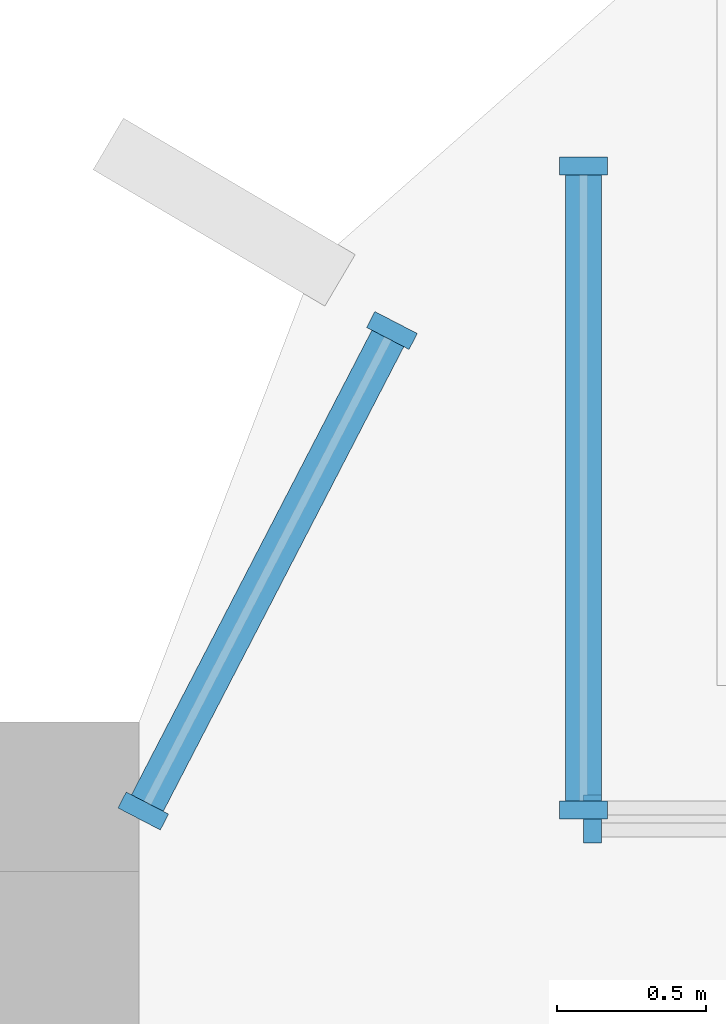
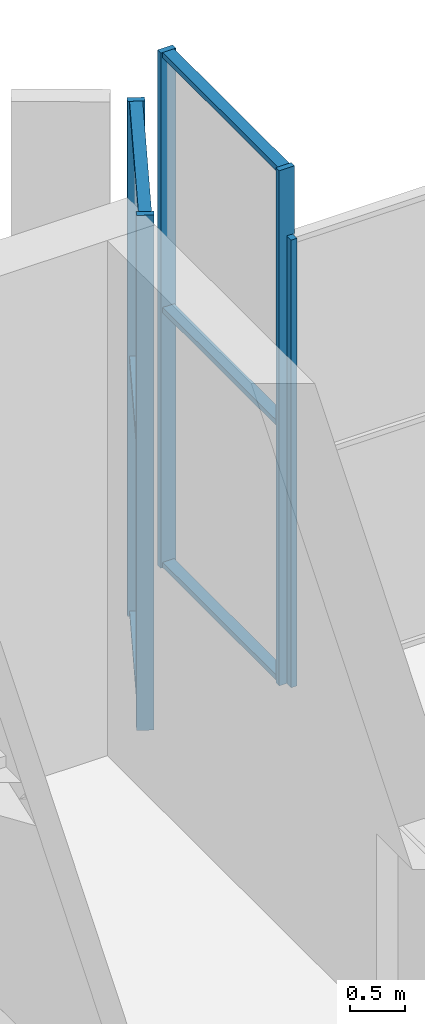
# One storey, part 7 of 17: 11 members, 3 elements without a shape of their own.
"""IFC4 building model written with IfcOpenShell, lengths in metres."""

from ifc_helpers import new_model, si_unit, direction, frame, origin, origin_2d, place, context, subcontext, project, spatial, rectangle, extrude, source, transform, mapped, material, material_profile, profile_set, type_object, element, aggregate, save


model = new_model("IFC4")

# Units and contexts
model_context = context("Model", 3, precision=1e-05, world=origin(), true_north=direction((0.0, 1.0)))
body_context = subcontext(model_context, "Body", "Model", "MODEL_VIEW")
ifc_project = project(units=[si_unit("LENGTHUNIT", "METRE"), si_unit("AREAUNIT", "SQUARE_METRE"), si_unit("VOLUMEUNIT", "CUBIC_METRE"), si_unit("PLANEANGLEUNIT", "RADIAN"), si_unit("MASSUNIT", "GRAM", prefix="KILO")], contexts=[model_context])

# Site, building, storey
site_placement = place(None, origin())
site = spatial("IfcSite", under=ifc_project, at=site_placement, CompositionType="ELEMENT")
building_placement = place(site_placement, origin())
building = spatial("IfcBuilding", under=site, at=building_placement, Name="Vanashikhar Sky Hotel", CompositionType="ELEMENT")
storey_placement = place(building_placement, frame((0.0, 0.0, 323.699951171875)))
storey = spatial("IfcBuildingStorey", under=building, at=storey_placement, Name="L77", CompositionType="ELEMENT", Elevation=323.699951171875)

# Curtain wall, member
ifc_material_1 = material(Name="Glass", Category="glass")
curtain_wall_type = type_object("IfcCurtainWallType", Name="Sky restaurant glazing", PredefinedType="NOTDEFINED", material=ifc_material_1)
curtain_wall_1_placement = place(storey_placement, origin())
curtain_wall_1 = element("IfcCurtainWall", 1, at=curtain_wall_1_placement, inside=storey, type_object=curtain_wall_type, Name="Sky restaurant glazing", PredefinedType="NOTDEFINED")
ifc_material_2 = material(Name="Aluminium 6063-T6", Category="aluminium")
ifc_material_profile_1 = material_profile(ifc_material_2, rectangle(XDim=0.159912109375, YDim=0.06005859375, at=origin_2d()))
ifc_profile_set_1 = profile_set([ifc_material_profile_1], Name="Aluminium 6063-T6")
member_type_1 = type_object("IfcMemberType", Name="Sky restaurant mullion 60 x 160", PredefinedType="MULLION", material=ifc_profile_set_1)
shared_shape_1 = source(origin(), body_context, "Body", "SweptSolid", [
    extrude(rectangle(XDim=0.159912109375, YDim=0.06005859375, at=origin_2d()), origin(), (0.0, 0.0, 1.0), 4.969970703125),
])
member_1_placement = place(storey_placement, frame((77.116943359375, 41.675048828125, 0.0), z_axis=(0.0, 0.0, 1.0), x_axis=(0.0, -1.0, 0.0)))
member_1 = element("IfcMember", 2, at=member_1_placement, type_object=member_type_1, Name="CW-5 mullion 2", PredefinedType="MULLION", context=body_context, shape_type="MappedRepresentation", body=[
    mapped(shared_shape_1, transform((0.0, 0.0, 0.0), scale=1.0)),
])
aggregate(curtain_wall_1, [member_1])

# Curtain wall, members
curtain_wall_2_placement = place(storey_placement, origin())
curtain_wall_2 = element("IfcCurtainWall", 3, at=curtain_wall_2_placement, inside=storey, type_object=curtain_wall_type, Name="Sky restaurant glazing", PredefinedType="NOTDEFINED")
shared_shape_2 = source(origin(), body_context, "Body", "SweptSolid", [
    extrude(rectangle(XDim=0.159912109375, YDim=0.06005859375, at=origin_2d()), origin(), (0.0, 0.0, 1.0), 5.719970703125),
])
member_2_placement = place(storey_placement, frame((77.0869140625, 41.705078125, 0.0), z_axis=(0.0, 0.0, 1.0), x_axis=(-1.0, 0.0, 0.0)))
member_2 = element("IfcMember", 4, at=member_2_placement, type_object=member_type_1, Name="CW-5 mullion 1", PredefinedType="MULLION", context=body_context, shape_type="MappedRepresentation", body=[
    mapped(shared_shape_2, transform((0.0, 0.0, 0.0), scale=1.0)),
])
member_3_placement = place(storey_placement, frame((77.0869140625, 43.859619140625, 0.0), z_axis=(0.0, 0.0, 1.0), x_axis=(-1.0, 0.0, 0.0)))
member_3 = element("IfcMember", 5, at=member_3_placement, type_object=member_type_1, Name="CW-5 mullion 2", PredefinedType="MULLION", context=body_context, shape_type="MappedRepresentation", body=[
    mapped(shared_shape_2, transform((0.0, 0.0, 0.0), scale=1.0)),
])

curtain_wall_3_placement = place(storey_placement, origin())
curtain_wall_3 = element("IfcCurtainWall", 6, at=curtain_wall_3_placement, inside=storey, type_object=curtain_wall_type, Name="Sky restaurant glazing", PredefinedType="NOTDEFINED")
member_4_placement = place(storey_placement, frame((76.446044921875, 43.3095703125, 0.0), z_axis=(0.0, 0.0, 1.0), x_axis=(0.888073920281, -0.459700676655, 0.0)))
member_4 = element("IfcMember", 7, at=member_4_placement, type_object=member_type_1, Name="CW-5 mullion 1", PredefinedType="MULLION", context=body_context, shape_type="MappedRepresentation", body=[
    mapped(shared_shape_2, transform((0.0, 0.0, 0.0), scale=1.0)),
])
member_5_placement = place(storey_placement, frame((75.61376953125, 41.70166015625, 0.0), z_axis=(0.0, 0.0, 1.0), x_axis=(0.888073920281, -0.459700676655, 0.0)))
member_5 = element("IfcMember", 8, at=member_5_placement, type_object=member_type_1, Name="CW-5 mullion 2", PredefinedType="MULLION", context=body_context, shape_type="MappedRepresentation", body=[
    mapped(shared_shape_2, transform((0.0, 0.0, 0.0), scale=1.0)),
])

# Member
ifc_material_profile_2 = material_profile(ifc_material_2, rectangle(XDim=0.1201171875, YDim=0.06005859375, at=origin_2d()))
ifc_profile_set_2 = profile_set([ifc_material_profile_2], Name="Aluminium 6063-T6")
member_type_2 = type_object("IfcMemberType", Name="Sky restaurant transom 60 x 120", PredefinedType="USERDEFINED", material=ifc_profile_set_2)
shared_shape_3 = source(origin(), body_context, "Body", "SweptSolid", [
    extrude(rectangle(XDim=0.1201171875, YDim=0.06005859375, at=origin_2d()), origin(), (0.0, 0.0, 1.0), 2.094482421875),
])
member_6_placement = place(storey_placement, frame((77.0869140625, 41.735107421875, 0.030029296875), z_axis=(0.0, 1.0, 0.0), x_axis=(-1.0, 0.0, 0.0)))
member_6 = element("IfcMember", 9, at=member_6_placement, type_object=member_type_2, Name="CW-5 transom 1.1", ObjectType="TRANSOM", PredefinedType="USERDEFINED", context=body_context, shape_type="MappedRepresentation", body=[
    mapped(shared_shape_3, transform((0.0, 0.0, 0.0), scale=1.0)),
])

member_7_placement = place(storey_placement, frame((77.0869140625, 41.735107421875, 2.860107421875), z_axis=(0.0, 1.0, 0.0), x_axis=(-1.0, 0.0, 0.0)))
member_7 = element("IfcMember", 10, at=member_7_placement, type_object=member_type_2, Name="CW-5 transom 1.2", ObjectType="TRANSOM", PredefinedType="USERDEFINED", context=body_context, shape_type="MappedRepresentation", body=[
    mapped(shared_shape_3, transform((0.0, 0.0, 0.0), scale=1.0)),
])

member_8_placement = place(storey_placement, frame((77.0869140625, 41.735107421875, 5.68994140625), z_axis=(0.0, 1.0, 0.0), x_axis=(-1.0, 0.0, 0.0)))
member_8 = element("IfcMember", 11, at=member_8_placement, type_object=member_type_2, Name="CW-5 transom 1.3", ObjectType="TRANSOM", PredefinedType="USERDEFINED", context=body_context, shape_type="MappedRepresentation", body=[
    mapped(shared_shape_3, transform((0.0, 0.0, 0.0), scale=1.0)),
])

aggregate(curtain_wall_2, [member_2, member_3, member_6, member_7, member_8])

shared_shape_4 = source(origin(), body_context, "Body", "SweptSolid", [
    extrude(rectangle(XDim=0.1201171875, YDim=0.06005859375, at=origin_2d()), origin(), (0.0, 0.0, 1.0), 1.75048828125),
])
member_9_placement = place(storey_placement, frame((76.432373046875, 43.282958984375, 0.030029296875), z_axis=(-0.4596657168, -0.888092015953, 0.0), x_axis=(0.888092015953, -0.4596657168, 0.0)))
member_9 = element("IfcMember", 12, at=member_9_placement, type_object=member_type_2, Name="CW-5 transom 1.1", ObjectType="TRANSOM", PredefinedType="USERDEFINED", context=body_context, shape_type="MappedRepresentation", body=[
    mapped(shared_shape_4, transform((0.0, 0.0, 0.0), scale=1.0)),
])

member_10_placement = place(storey_placement, frame((76.432373046875, 43.282958984375, 2.860107421875), z_axis=(-0.4596657168, -0.888092015953, 0.0), x_axis=(0.888092015953, -0.4596657168, 0.0)))
member_10 = element("IfcMember", 13, at=member_10_placement, type_object=member_type_2, Name="CW-5 transom 1.2", ObjectType="TRANSOM", PredefinedType="USERDEFINED", context=body_context, shape_type="MappedRepresentation", body=[
    mapped(shared_shape_4, transform((0.0, 0.0, 0.0), scale=1.0)),
])

member_11_placement = place(storey_placement, frame((76.432373046875, 43.282958984375, 5.68994140625), z_axis=(-0.4596657168, -0.888092015953, 0.0), x_axis=(0.888092015953, -0.4596657168, 0.0)))
member_11 = element("IfcMember", 14, at=member_11_placement, type_object=member_type_2, Name="CW-5 transom 1.3", ObjectType="TRANSOM", PredefinedType="USERDEFINED", context=body_context, shape_type="MappedRepresentation", body=[
    mapped(shared_shape_4, transform((0.0, 0.0, 0.0), scale=1.0)),
])

aggregate(curtain_wall_3, [member_4, member_5, member_9, member_10, member_11])

save(model, "model.ifc")
